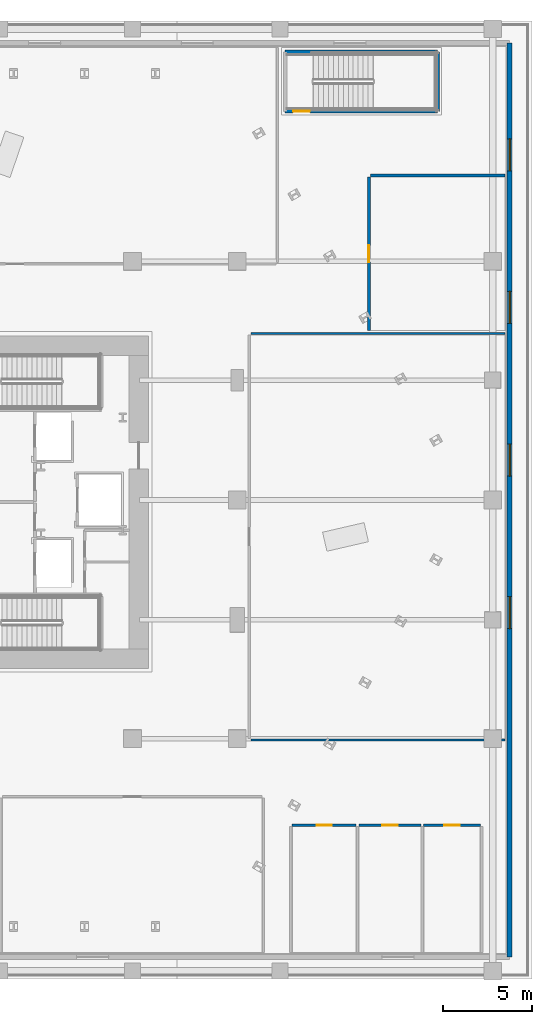
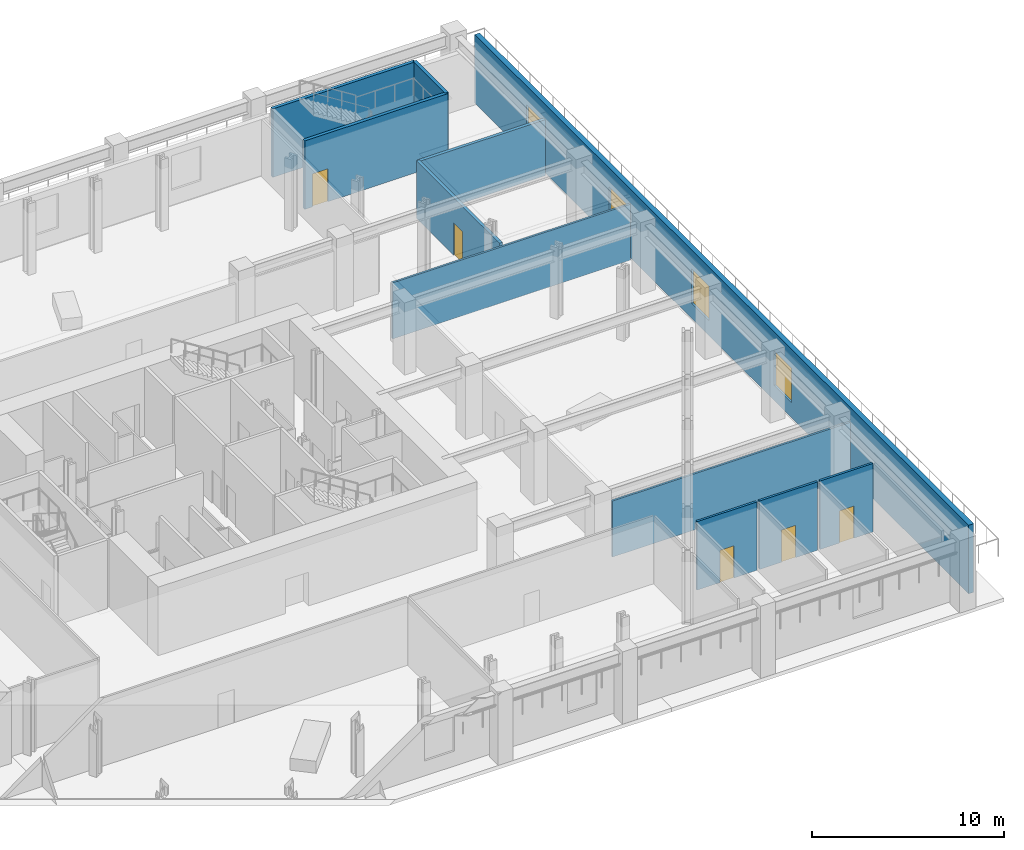
# One storey, part 7 of 18: 11 walls, 5 doors, 4 windows, 9 openings.
"""IFC4 building model written with IfcOpenShell, lengths in metres."""

from ifc_helpers import new_model, si_unit, direction, frame, frame_2d, origin, place, context, subcontext, project, spatial, rectangle, extrude, material, layer, layer_set, type_object, element, fill, save


model = new_model("IFC4")

# Units and contexts
model_context = context("Model", 3, precision=1e-05, world=origin(), true_north=direction((0.0, 1.0)))
body_context = subcontext(model_context, "Body", "Model", "MODEL_VIEW")
ifc_project = project(units=[si_unit("LENGTHUNIT", "METRE"), si_unit("AREAUNIT", "SQUARE_METRE"), si_unit("VOLUMEUNIT", "CUBIC_METRE"), si_unit("PLANEANGLEUNIT", "RADIAN"), si_unit("MASSUNIT", "GRAM", prefix="KILO")], contexts=[model_context])

# Site, building, storey
site_placement = place(None, origin())
site = spatial("IfcSite", under=ifc_project, at=site_placement, CompositionType="ELEMENT")
building_placement = place(site_placement, origin())
building = spatial("IfcBuilding", under=site, at=building_placement, Name="Valkerne Bourse Tower", CompositionType="ELEMENT")
storey_placement = place(building_placement, frame((0.0, 0.0, 14.800048828125)))
storey = spatial("IfcBuildingStorey", under=building, at=storey_placement, Name="L03", CompositionType="ELEMENT", Elevation=14.800048828125)

# Walls
ifc_material_1 = material(Name="Gypsum Board Steel-Stud Partition", Category="steel")
ifc_layer_1 = layer(ifc_material_1, 0.117919921875)
ifc_layer_set_1 = layer_set([ifc_layer_1], Name="Gypsum Board Steel-Stud Partition")
wall_type_1 = type_object("IfcWallType", Name="W-CORR-140", PredefinedType="PARTITIONING", material=ifc_layer_set_1)
for number, where, z_axis, x_axis, name in (
    (1, (62.179931640625, 36.3798828125, 0.0), (0.0, 0.0, 1.0), (1.0, 0.0, 0.0), "L03 L03 East Quantitative Analytics Office Wall"),
    (2, (62.179931640625, 13.47998046875, 0.0), (0.0, 0.0, 1.0), (1.0, 0.0, 0.0), "L03 L03 East Quantitative Analytics Office Wall"),
):
    element("IfcWall", number, at=place(storey_placement, frame(where, z_axis=z_axis, x_axis=x_axis)), inside=storey, type_object=wall_type_1, Name=name, PredefinedType="PARTITIONING", context=body_context, shape_type="SweptSolid", body=[
        extrude(rectangle(XDim=14.320068359375, YDim=0.117919921875, at=frame_2d((7.16015625, 0.0))), origin(), (0.0, 0.0, 1.0), 3.56494140625),
    ])

# Wall, openings, windows
ifc_material_2 = material(Name="Bronze Anodised Aluminium AA 6063-T6", Category="aluminium")
ifc_layer_2 = layer(ifc_material_2, 0.300048828125)
ifc_layer_set_2 = layer_set([ifc_layer_2], Name="Bronze Anodised Aluminium AA 6063-T6")
wall_type_2 = type_object("IfcWallType", Name="W-EXT-ALUM-300", PredefinedType="STANDARD", material=ifc_layer_set_2)
wall_1_placement = place(storey_placement, frame((76.75, 52.75, 0.0), z_axis=(0.0, 0.0, 1.0), x_axis=(0.0, -1.0, 0.0)))
wall_1 = element("IfcWall", 3, at=wall_1_placement, inside=storey, type_object=wall_type_2, Name="L03 Podium Exterior Wall EAST", PredefinedType="STANDARD", context=body_context, shape_type="SweptSolid", body=[
    extrude(rectangle(XDim=51.5, YDim=0.300048828125, at=frame_2d((25.75, 0.0))), origin(), (0.0, 0.0, 1.0), 4.35986328125),
])
opening_1_placement = place(wall_1_placement, frame((5.39990234375, 0.0, 0.949951171875)))
opening_1 = element("IfcOpeningElement", 4, at=opening_1_placement, cuts=wall_1, Name="Opening WN-03", PredefinedType="OPENING", context=body_context, shape_type="SweptSolid", body=[
    extrude(rectangle(XDim=1.800048828125, YDim=2.199951171875, at=frame_2d((0.89990234375, 1.10009765625))), frame((0.0, 0.159912109375, 0.0), z_axis=(0.0, -1.0, 0.0), x_axis=(1.0, 0.0, 0.0)), (0.0, 0.0, 1.0), 0.320068359375),
])
opening_2_placement = place(wall_1_placement, frame((14.0, 0.0, 0.949951171875)))
opening_2 = element("IfcOpeningElement", 5, at=opening_2_placement, cuts=wall_1, Name="Opening WN-03", PredefinedType="OPENING", context=body_context, shape_type="SweptSolid", body=[
    extrude(rectangle(XDim=1.800048828125, YDim=2.199951171875, at=frame_2d((0.89990234375, 1.10009765625))), frame((0.0, 0.159912109375, 0.0), z_axis=(0.0, -1.0, 0.0), x_axis=(1.0, 0.0, 0.0)), (0.0, 0.0, 1.0), 0.320068359375),
])
opening_3_placement = place(wall_1_placement, frame((22.60009765625, 0.0, 0.949951171875)))
opening_3 = element("IfcOpeningElement", 6, at=opening_3_placement, cuts=wall_1, Name="Opening WN-03", PredefinedType="OPENING", context=body_context, shape_type="SweptSolid", body=[
    extrude(rectangle(XDim=1.800048828125, YDim=2.199951171875, at=frame_2d((0.89990234375, 1.10009765625))), frame((0.0, 0.159912109375, 0.0), z_axis=(0.0, -1.0, 0.0), x_axis=(1.0, 0.0, 0.0)), (0.0, 0.0, 1.0), 0.320068359375),
])
opening_4_placement = place(wall_1_placement, frame((31.199951171875, 0.0, 0.949951171875)))
opening_4 = element("IfcOpeningElement", 7, at=opening_4_placement, cuts=wall_1, Name="Opening WN-03", PredefinedType="OPENING", context=body_context, shape_type="SweptSolid", body=[
    extrude(rectangle(XDim=1.800048828125, YDim=2.199951171875, at=frame_2d((0.89990234375, 1.10009765625))), frame((0.0, 0.159912109375, 0.0), z_axis=(0.0, -1.0, 0.0), x_axis=(1.0, 0.0, 0.0)), (0.0, 0.0, 1.0), 0.320068359375),
])
ifc_material_3 = material(Name="Glass IGU Low-E Double Glazed", Category="glass")
window_type = type_object("IfcWindowType", Name="WIN-POD-1800X2200", PartitioningType="SINGLE_PANEL", PredefinedType="WINDOW", material=ifc_material_3)
window_1_placement = place(opening_1_placement, origin())
window_1 = element("IfcWindow", 8, at=window_1_placement, inside=storey, type_object=window_type, Name="L03 Podium Low-E Window 09", OverallHeight=2.199951171875, OverallWidth=1.800048828125, PartitioningType="SINGLE_PANEL", PredefinedType="WINDOW", context=body_context, shape_type="SweptSolid", body=[
    extrude(rectangle(XDim=1.800048828125, YDim=2.199951171875, at=frame_2d((0.89990234375, 1.10009765625))), frame((0.0, 0.030029296875, 0.0), z_axis=(0.0, -1.0, 0.0), x_axis=(1.0, 0.0, 0.0)), (0.0, 0.0, 1.0), 0.06005859375),
])
fill(opening_1, window_1)
window_2_placement = place(opening_2_placement, origin())
window_2 = element("IfcWindow", 9, at=window_2_placement, inside=storey, type_object=window_type, Name="L03 Podium Low-E Window 10", OverallHeight=2.199951171875, OverallWidth=1.800048828125, PartitioningType="SINGLE_PANEL", PredefinedType="WINDOW", context=body_context, shape_type="SweptSolid", body=[
    extrude(rectangle(XDim=1.800048828125, YDim=2.199951171875, at=frame_2d((0.89990234375, 1.10009765625))), frame((0.0, 0.030029296875, 0.0), z_axis=(0.0, -1.0, 0.0), x_axis=(1.0, 0.0, 0.0)), (0.0, 0.0, 1.0), 0.06005859375),
])
fill(opening_2, window_2)
window_3_placement = place(opening_3_placement, origin())
window_3 = element("IfcWindow", 10, at=window_3_placement, inside=storey, type_object=window_type, Name="L03 Podium Low-E Window 11", OverallHeight=2.199951171875, OverallWidth=1.800048828125, PartitioningType="SINGLE_PANEL", PredefinedType="WINDOW", context=body_context, shape_type="SweptSolid", body=[
    extrude(rectangle(XDim=1.800048828125, YDim=2.199951171875, at=frame_2d((0.89990234375, 1.10009765625))), frame((0.0, 0.030029296875, 0.0), z_axis=(0.0, -1.0, 0.0), x_axis=(1.0, 0.0, 0.0)), (0.0, 0.0, 1.0), 0.06005859375),
])
fill(opening_3, window_3)
window_4_placement = place(opening_4_placement, origin())
window_4 = element("IfcWindow", 11, at=window_4_placement, inside=storey, type_object=window_type, Name="L03 Podium Low-E Window 12", OverallHeight=2.199951171875, OverallWidth=1.800048828125, PartitioningType="SINGLE_PANEL", PredefinedType="WINDOW", context=body_context, shape_type="SweptSolid", body=[
    extrude(rectangle(XDim=1.800048828125, YDim=2.199951171875, at=frame_2d((0.89990234375, 1.10009765625))), frame((0.0, 0.030029296875, 0.0), z_axis=(0.0, -1.0, 0.0), x_axis=(1.0, 0.0, 0.0)), (0.0, 0.0, 1.0), 0.06005859375),
])
fill(opening_4, window_4)

# Wall
ifc_material_4 = material(Name="Gypsum Fire-Rated Shaftwall", Category="gypsum")
ifc_layer_3 = layer(ifc_material_4, 0.179931640625)
ifc_layer_set_3 = layer_set([ifc_layer_3], Name="Gypsum Fire-Rated Shaftwall")
wall_type_3 = type_object("IfcWallType", Name="W-FSAE-180", PredefinedType="PARTITIONING", material=ifc_layer_set_3)
wall_2_placement = place(storey_placement, frame((68.89990234375, 45.280029296875, 0.0), z_axis=(0.0, 0.0, 1.0), x_axis=(1.0, 0.0, 0.0)))
element("IfcWall", 12, at=wall_2_placement, inside=storey, type_object=wall_type_3, Name="L03 L03 Co-Location Server Room Wall", PredefinedType="PARTITIONING", context=body_context, shape_type="SweptSolid", body=[
    extrude(rectangle(XDim=7.60009765625, YDim=0.179931640625, at=frame_2d((3.800048828125, 0.0))), origin(), (0.0, 0.0, 1.0), 3.56494140625),
])

# Wall, opening, door
wall_3_placement = place(storey_placement, frame((68.820068359375, 36.550048828125, 0.0), z_axis=(0.0, 0.0, 1.0), x_axis=(0.0, 1.0, 0.0)))
wall_3 = element("IfcWall", 13, at=wall_3_placement, inside=storey, type_object=wall_type_3, Name="L03 L03 Co-Location Server Room Wall", PredefinedType="PARTITIONING", context=body_context, shape_type="SweptSolid", body=[
    extrude(rectangle(XDim=8.64990234375, YDim=0.179931640625, at=frame_2d((4.324951171875, 0.0))), origin(), (0.0, 0.0, 1.0), 3.656494140625),
])
opening_5_placement = place(wall_3_placement, frame((3.85009765625, 0.0, 0.0)))
opening_5 = element("IfcOpeningElement", 14, at=opening_5_placement, cuts=wall_3, Name="Opening D-SV-950", PredefinedType="OPENING", context=body_context, shape_type="SweptSolid", body=[
    extrude(rectangle(XDim=0.949951171875, YDim=2.050048828125, at=frame_2d((0.47509765625, 1.02490234375))), frame((0.0, 0.099853515625, 0.0), z_axis=(0.0, -1.0, 0.0), x_axis=(1.0, 0.0, 0.0)), (0.0, 0.0, 1.0), 0.199951171875),
])
ifc_material_5 = material(Name="Galvanised Painted Steel", Category="steel")
door_type_1 = type_object("IfcDoorType", Name="DR-SRV-950", OperationType="NOTDEFINED", PredefinedType="DOOR", material=ifc_material_5)
door_1_placement = place(opening_5_placement, origin())
door_1 = element("IfcDoor", 15, at=door_1_placement, inside=storey, type_object=door_type_1, Name="L03 L03 Server Room Door", OperationType="SINGLE_SWING_RIGHT", OverallHeight=2.050048828125, OverallWidth=0.949951171875, PredefinedType="DOOR", context=body_context, shape_type="SweptSolid", body=[
    extrude(rectangle(XDim=0.949951171875, YDim=2.050048828125, at=frame_2d((0.47509765625, 1.02490234375))), frame((0.0, 0.02490234375, 0.0), z_axis=(0.0, -1.0, 0.0), x_axis=(1.0, 0.0, 0.0)), (0.0, 0.0, 1.0), 0.050048828125),
])
fill(opening_5, door_1)

ifc_material_6 = material(Name="Concrete C40/50", Category="concrete")
ifc_layer_4 = layer(ifc_material_6, 0.199951171875)
ifc_layer_set_4 = layer_set([ifc_layer_4], Name="Concrete C40/50")
wall_type_4 = type_object("IfcWallType", Name="W-SHF-200", PredefinedType="SHEAR", material=ifc_layer_set_4)
wall_4_placement = place(storey_placement, frame((64.10009765625, 48.89990234375, 0.0), z_axis=(0.0, 0.0, 1.0), x_axis=(1.0, 0.0, 0.0)))
wall_4 = element("IfcWall", 16, at=wall_4_placement, inside=storey, type_object=wall_type_4, Name="L03 Exit Stair ST-P2 Structural South Wall", PredefinedType="SHEAR", context=body_context, shape_type="SweptSolid", body=[
    extrude(rectangle(XDim=8.599853515625, YDim=0.199951171875, at=frame_2d((4.2998046875, 0.0))), origin(), (0.0, 0.0, 1.0), 4.35986328125),
])
opening_6_placement = place(wall_4_placement, frame((0.449951171875, 0.0, 0.0)))
opening_6 = element("IfcOpeningElement", 17, at=opening_6_placement, cuts=wall_4, Name="Opening D-ST-950", PredefinedType="OPENING", context=body_context, shape_type="SweptSolid", body=[
    extrude(rectangle(XDim=0.949951171875, YDim=2.10009765625, at=frame_2d((0.47509765625, 1.050048828125))), frame((0.0, 0.10986328125, 0.0), z_axis=(0.0, -1.0, 0.0), x_axis=(1.0, 0.0, 0.0)), (0.0, 0.0, 1.0), 0.219970703125),
])
door_type_2 = type_object("IfcDoorType", Name="DR-STAIR-950", OperationType="NOTDEFINED", PredefinedType="DOOR", material=ifc_material_5)
door_2_placement = place(opening_6_placement, origin())
door_2 = element("IfcDoor", 18, at=door_2_placement, inside=storey, type_object=door_type_2, Name="L03 Exit Stair ST-P2 Door", OperationType="SINGLE_SWING_RIGHT", OverallHeight=2.10009765625, OverallWidth=0.949951171875, PredefinedType="DOOR", context=body_context, shape_type="SweptSolid", body=[
    extrude(rectangle(XDim=0.949951171875, YDim=2.10009765625, at=frame_2d((0.47509765625, 1.050048828125))), frame((0.0, 0.02490234375, 0.0), z_axis=(0.0, -1.0, 0.0), x_axis=(1.0, 0.0, 0.0)), (0.0, 0.0, 1.0), 0.050048828125),
])
fill(opening_6, door_2)

# Walls
wall_5_placement = place(storey_placement, frame((64.10009765625, 52.25, 0.0), z_axis=(0.0, 0.0, 1.0), x_axis=(1.0, 0.0, 0.0)))
element("IfcWall", 19, at=wall_5_placement, inside=storey, type_object=wall_type_4, Name="L03 Exit Stair ST-P2 Structural North Wall", PredefinedType="SHEAR", context=body_context, shape_type="SweptSolid", body=[
    extrude(rectangle(XDim=8.599853515625, YDim=0.199951171875, at=frame_2d((4.2998046875, 0.0))), origin(), (0.0, 0.0, 1.0), 4.35986328125),
])
wall_6_placement = place(storey_placement, frame((72.699951171875, 48.89990234375, 0.0), z_axis=(0.0, 0.0, 1.0), x_axis=(0.0, 1.0, 0.0)))
element("IfcWall", 20, at=wall_6_placement, inside=storey, type_object=wall_type_4, Name="L03 Exit Stair ST-P2 Structural East Wall", PredefinedType="SHEAR", context=body_context, shape_type="SweptSolid", body=[
    extrude(rectangle(XDim=3.35009765625, YDim=0.199951171875, at=frame_2d((1.675048828125, 0.0))), origin(), (0.0, 0.0, 1.0), 4.35986328125),
])

# Wall, opening, door
ifc_material_7 = material(Name="Moisture-Resistant Gypsum Partition", Category="gypsum")
ifc_layer_5 = layer(ifc_material_7, 0.139892578125)
ifc_layer_set_5 = layer_set([ifc_layer_5], Name="Moisture-Resistant Gypsum Partition")
wall_type_5 = type_object("IfcWallType", Name="W-WET-140", PredefinedType="PARTITIONING", material=ifc_layer_set_5)
wall_7_placement = place(storey_placement, frame((64.5, 8.679931640625, 0.0), z_axis=(0.0, 0.0, 1.0), x_axis=(1.0, 0.0, 0.0)))
wall_7 = element("IfcWall", 21, at=wall_7_placement, inside=storey, type_object=wall_type_5, Name="L03 L03 Men Bathroom WC Wall", PredefinedType="PARTITIONING", context=body_context, shape_type="SweptSolid", body=[
    extrude(rectangle(XDim=3.60009765625, YDim=0.139892578125, at=frame_2d((1.800048828125, 0.0))), origin(), (0.0, 0.0, 1.0), 4.35986328125),
])
opening_7_placement = place(wall_7_placement, frame((1.3701171875, 0.0, 0.0)))
opening_7 = element("IfcOpeningElement", 22, at=opening_7_placement, cuts=wall_7, Name="Opening D-WC-900", PredefinedType="OPENING", context=body_context, shape_type="SweptSolid", body=[
    extrude(rectangle(XDim=0.860107421875, YDim=2.050048828125, at=frame_2d((0.43017578125, 1.02490234375))), frame((0.0, 0.079833984375, 0.0), z_axis=(0.0, -1.0, 0.0), x_axis=(1.0, 0.0, 0.0)), (0.0, 0.0, 1.0), 0.159912109375),
])
ifc_material_8 = material(Name="Architectural White Oak Timber", Category="wood")
door_type_3 = type_object("IfcDoorType", Name="DR-WC-900", OperationType="NOTDEFINED", PredefinedType="DOOR", material=ifc_material_8)
door_3_placement = place(opening_7_placement, origin())
door_3 = element("IfcDoor", 23, at=door_3_placement, inside=storey, type_object=door_type_3, Name="L03 L03 Men WC Door", OperationType="SINGLE_SWING_RIGHT", OverallHeight=2.050048828125, OverallWidth=0.860107421875, PredefinedType="DOOR", context=body_context, shape_type="SweptSolid", body=[
    extrude(rectangle(XDim=0.860107421875, YDim=2.050048828125, at=frame_2d((0.43017578125, 1.02490234375))), frame((0.0, 0.02490234375, 0.0), z_axis=(0.0, -1.0, 0.0), x_axis=(1.0, 0.0, 0.0)), (0.0, 0.0, 1.0), 0.050048828125),
])
fill(opening_7, door_3)

wall_8_placement = place(storey_placement, frame((68.260009765625, 8.679931640625, 0.0), z_axis=(0.0, 0.0, 1.0), x_axis=(1.0, 0.0, 0.0)))
wall_8 = element("IfcWall", 24, at=wall_8_placement, inside=storey, type_object=wall_type_5, Name="L03 L03 Women Bathroom WC Wall", PredefinedType="PARTITIONING", context=body_context, shape_type="SweptSolid", body=[
    extrude(rectangle(XDim=3.489990234375, YDim=0.139892578125, at=frame_2d((1.7451171875, 0.0))), origin(), (0.0, 0.0, 1.0), 4.35986328125),
])
opening_8_placement = place(wall_8_placement, frame((1.31494140625, 0.0, 0.0)))
opening_8 = element("IfcOpeningElement", 25, at=opening_8_placement, cuts=wall_8, Name="Opening D-WC-900", PredefinedType="OPENING", context=body_context, shape_type="SweptSolid", body=[
    extrude(rectangle(XDim=0.860107421875, YDim=2.050048828125, at=frame_2d((0.43017578125, 1.02490234375))), frame((0.0, 0.079833984375, 0.0), z_axis=(0.0, -1.0, 0.0), x_axis=(1.0, 0.0, 0.0)), (0.0, 0.0, 1.0), 0.159912109375),
])
door_4_placement = place(opening_8_placement, origin())
door_4 = element("IfcDoor", 26, at=door_4_placement, inside=storey, type_object=door_type_3, Name="L03 L03 Women WC Door", OperationType="SINGLE_SWING_RIGHT", OverallHeight=2.050048828125, OverallWidth=0.860107421875, PredefinedType="DOOR", context=body_context, shape_type="SweptSolid", body=[
    extrude(rectangle(XDim=0.860107421875, YDim=2.050048828125, at=frame_2d((0.43017578125, 1.02490234375))), frame((0.0, 0.02490234375, 0.0), z_axis=(0.0, -1.0, 0.0), x_axis=(1.0, 0.0, 0.0)), (0.0, 0.0, 1.0), 0.050048828125),
])
fill(opening_8, door_4)

wall_9_placement = place(storey_placement, frame((71.909912109375, 8.679931640625, 0.0), z_axis=(0.0, 0.0, 1.0), x_axis=(1.0, 0.0, 0.0)))
wall_9 = element("IfcWall", 27, at=wall_9_placement, inside=storey, type_object=wall_type_5, Name="L03 L03 Accessible Bathroom WC Wall", PredefinedType="PARTITIONING", context=body_context, shape_type="SweptSolid", body=[
    extrude(rectangle(XDim=3.190185546875, YDim=0.139892578125, at=frame_2d((1.59521484375, 0.0))), origin(), (0.0, 0.0, 1.0), 4.35986328125),
])
opening_9_placement = place(wall_9_placement, frame((1.1650390625, 0.0, 0.0)))
opening_9 = element("IfcOpeningElement", 28, at=opening_9_placement, cuts=wall_9, Name="Opening D-WC-900", PredefinedType="OPENING", context=body_context, shape_type="SweptSolid", body=[
    extrude(rectangle(XDim=0.860107421875, YDim=2.050048828125, at=frame_2d((0.43017578125, 1.02490234375))), frame((0.0, 0.079833984375, 0.0), z_axis=(0.0, -1.0, 0.0), x_axis=(1.0, 0.0, 0.0)), (0.0, 0.0, 1.0), 0.159912109375),
])
door_5_placement = place(opening_9_placement, origin())
door_5 = element("IfcDoor", 29, at=door_5_placement, inside=storey, type_object=door_type_3, Name="L03 L03 Accessible WC Door", OperationType="SINGLE_SWING_RIGHT", OverallHeight=2.050048828125, OverallWidth=0.860107421875, PredefinedType="DOOR", context=body_context, shape_type="SweptSolid", body=[
    extrude(rectangle(XDim=0.860107421875, YDim=2.050048828125, at=frame_2d((0.43017578125, 1.02490234375))), frame((0.0, 0.02490234375, 0.0), z_axis=(0.0, -1.0, 0.0), x_axis=(1.0, 0.0, 0.0)), (0.0, 0.0, 1.0), 0.050048828125),
])
fill(opening_9, door_5)

save(model, "model.ifc")
